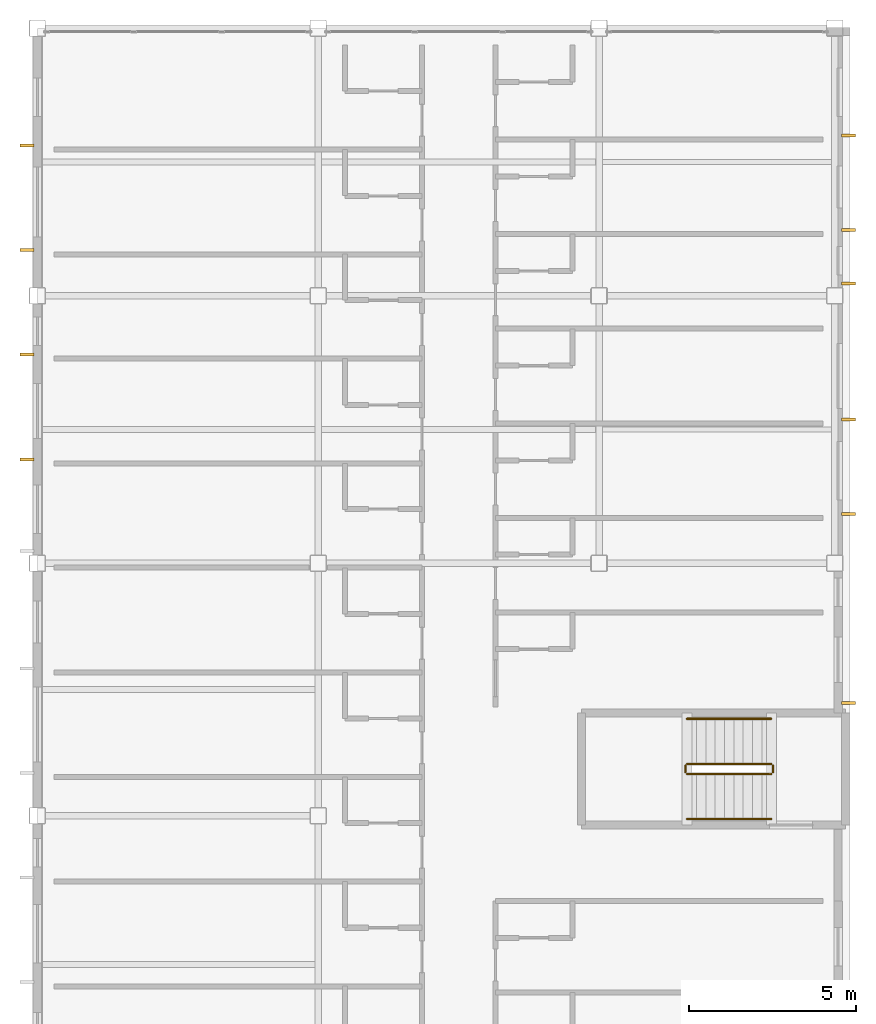
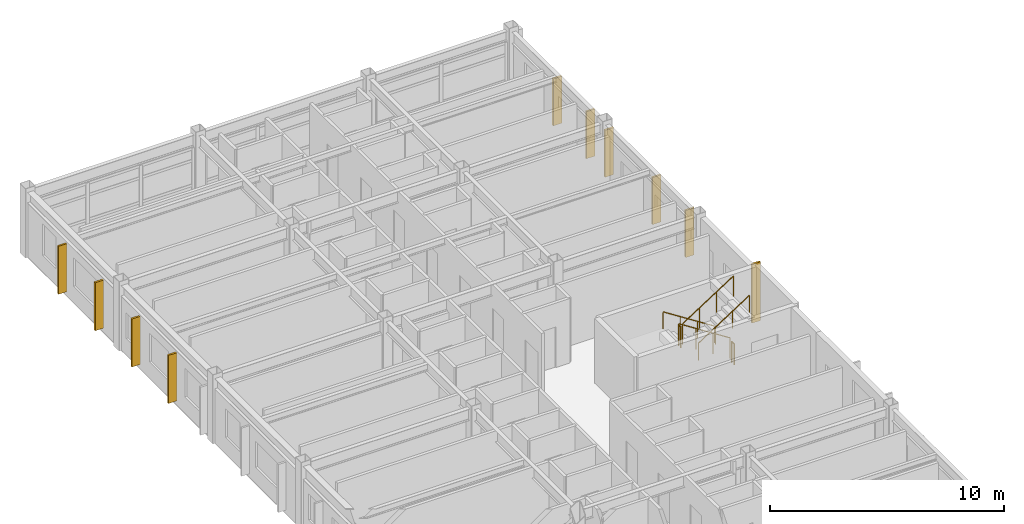
# One storey, part 35 of 35: 10 coverings, 6 railings.
"""IFC4 building model written with IfcOpenShell, lengths in metres."""

from ifc_helpers import new_model, si_unit, direction, frame, origin, origin_2d, place, context, subcontext, project, spatial, rectangle, circle, extrude, material, layer, layer_set, type_object, element, save


model = new_model("IFC4")

# Units and contexts
model_context = context("Model", 3, precision=1e-05, world=origin(), true_north=direction((0.0, 1.0)))
body_context = subcontext(model_context, "Body", "Model", "MODEL_VIEW")
ifc_project = project(units=[si_unit("LENGTHUNIT", "METRE"), si_unit("AREAUNIT", "SQUARE_METRE"), si_unit("VOLUMEUNIT", "CUBIC_METRE"), si_unit("PLANEANGLEUNIT", "RADIAN"), si_unit("MASSUNIT", "GRAM", prefix="KILO")], contexts=[model_context])

# Site, building, storey
site_placement = place(None, origin())
site = spatial("IfcSite", under=ifc_project, at=site_placement, CompositionType="ELEMENT")
building_placement = place(site_placement, origin())
building = spatial("IfcBuilding", under=site, at=building_placement, Name="Kazehara Bluff Congress Hotel", CompositionType="ELEMENT")
storey_placement = place(building_placement, frame((0.0, 0.0, 35.39990234375)))
storey = spatial("IfcBuildingStorey", under=building, at=storey_placement, Name="L08", CompositionType="ELEMENT", Elevation=35.39990234375)

# Coverings
ifc_material_1 = material(Name="Anodised aluminium architectural brise-soleil", Category="aluminium")
ifc_layer = layer(ifc_material_1, 0.090087890625)
ifc_layer_set = layer_set([ifc_layer], Name="Anodised aluminium architectural brise-soleil")
covering_type = type_object("IfcCoveringType", Name="TP-FFN-02", PredefinedType="CLADDING", material=ifc_layer_set)
covering_placement = place(storey_placement, frame((167.9599609375, 76.719970703125, 0.20263671875), z_axis=(0.0, 0.0, 1.0), x_axis=(1.0, 0.0, 0.0)))
element("IfcCovering", 1, at=covering_placement, inside=storey, type_object=covering_type, Name="L08 architectural vertical fin 66", PredefinedType="CLADDING", context=body_context, shape_type="SweptSolid", body=[
    extrude(rectangle(XDim=0.419921875, YDim=0.090087890625, at=origin_2d()), origin(), (0.0, 0.0, 1.0), 3.06494140625),
])
for number, where, z_axis, x_axis, name in (
    (2, (167.9599609375, 82.375, 0.20263671875), (0.0, 0.0, 1.0), (1.0, 0.0, 0.0), "L08 architectural vertical fin 67"),
    (3, (167.9599609375, 85.205078125, 0.20263671875), (0.0, 0.0, 1.0), (1.0, 0.0, 0.0), "L08 architectural vertical fin 68"),
    (4, (167.9599609375, 89.27001953125, 0.20263671875), (0.0, 0.0, 1.0), (1.0, 0.0, 0.0), "L08 architectural vertical fin 69"),
    (5, (167.9599609375, 90.864990234375, 0.20263671875), (0.0, 0.0, 1.0), (1.0, 0.0, 0.0), "L08 architectural vertical fin 70"),
    (6, (167.9599609375, 93.68994140625, 0.20263671875), (0.0, 0.0, 1.0), (1.0, 0.0, 0.0), "L08 architectural vertical fin 71"),
):
    element("IfcCovering", number, at=place(storey_placement, frame(where, z_axis=z_axis, x_axis=x_axis)), inside=storey, type_object=covering_type, Name=name, PredefinedType="CLADDING", context=body_context, shape_type="SweptSolid", body=[
        extrude(rectangle(XDim=0.419921875, YDim=0.090087890625, at=origin_2d()), origin(), (0.0, 0.0, 1.0), 2.455078125),
    ])
for number, where, z_axis, x_axis, name in (
    (7, (143.389892578125, 84.010009765625, 0.20263671875), (0.0, 0.0, 1.0), (1.0, 0.0, 0.0), "L08 architectural vertical fin 87"),
    (8, (143.389892578125, 87.139892578125, 0.20263671875), (0.0, 0.0, 1.0), (1.0, 0.0, 0.0), "L08 architectural vertical fin 88"),
    (9, (143.389892578125, 90.264892578125, 0.20263671875), (0.0, 0.0, 1.0), (1.0, 0.0, 0.0), "L08 architectural vertical fin 89"),
    (10, (143.389892578125, 93.39501953125, 0.20263671875), (0.0, 0.0, 1.0), (1.0, 0.0, 0.0), "L08 architectural vertical fin 90"),
):
    element("IfcCovering", number, at=place(storey_placement, frame(where, z_axis=z_axis, x_axis=x_axis)), inside=storey, type_object=covering_type, Name=name, PredefinedType="CLADDING", context=body_context, shape_type="SweptSolid", body=[
        extrude(rectangle(XDim=0.419921875, YDim=0.090087890625, at=origin_2d()), origin(), (0.0, 0.0, 1.0), 2.5048828125),
    ])

# Railings
ifc_material_2 = material(Name="Brushed stainless steel", Category="steel")
railing_type_1 = type_object("IfcRailingType", Name="TP-GRD-INT", PredefinedType="GUARDRAIL", material=ifc_material_2)
railing_1_placement = place(storey_placement, frame((165.64990234375, 74.89990234375, 0.18017578125)))
element("IfcRailing", 11, at=railing_1_placement, inside=storey, type_object=railing_type_1, Name="L08 ST-12 stair guard 1", PredefinedType="GUARDRAIL", context=body_context, shape_type="SweptSolid", body=[
    extrude(circle(Radius=0.02392578125, at=origin_2d()), frame((0.0, 0.0, 1.076171875), z_axis=(-0.841199657755, 0.0, 0.540724639528), x_axis=(0.0, -1.0, 0.0)), (0.0, 0.0, 1.0), 2.995849609375),
    extrude(circle(Radius=0.02099609375, at=origin_2d()), origin(), (0.0, 0.0, 1.0), 1.052001953125),
    extrude(circle(Radius=0.02099609375, at=origin_2d()), frame((-0.840087890625, 0.0, 0.5400390625)), (0.0, 0.0, 1.0), 1.052001953125),
    extrude(circle(Radius=0.02099609375, at=origin_2d()), frame((-1.679931640625, 0.0, 1.079833984375)), (0.0, 0.0, 1.0), 1.052001953125),
    extrude(circle(Radius=0.02099609375, at=origin_2d()), frame((-2.52001953125, 0.0, 1.619873046875)), (0.0, 0.0, 1.0), 1.052001953125),
])
railing_2_placement = place(storey_placement, frame((163.080078125, 74.85009765625, 1.800048828125)))
element("IfcRailing", 12, at=railing_2_placement, inside=storey, type_object=railing_type_1, Name="L08 ST-12 stair guard 2", PredefinedType="GUARDRAIL", context=body_context, shape_type="SweptSolid", body=[
    extrude(circle(Radius=0.02392578125, at=origin_2d()), frame((0.0, 0.0, 1.076171875), z_axis=(0.0, -1.0, 0.0), x_axis=(1.0, 0.0, 0.0)), (0.0, 0.0, 1.0), 0.2001953125),
    extrude(circle(Radius=0.02099609375, at=origin_2d()), origin(), (0.0, 0.0, 1.0), 1.052001953125),
    extrude(circle(Radius=0.02099609375, at=origin_2d()), frame((0.0, -0.2001953125, 0.0)), (0.0, 0.0, 1.0), 1.052001953125),
])
railing_3_placement = place(storey_placement, frame((163.1298828125, 74.60009765625, 1.97998046875)))
element("IfcRailing", 13, at=railing_3_placement, inside=storey, type_object=railing_type_1, Name="L08 ST-12 stair guard 3", PredefinedType="GUARDRAIL", context=body_context, shape_type="SweptSolid", body=[
    extrude(circle(Radius=0.02392578125, at=origin_2d()), frame((0.0, 0.0, 1.076171875), z_axis=(0.841162588446, 0.0, 0.540782303519), x_axis=(0.0, 1.0, 0.0)), (0.0, 0.0, 1.0), 2.995849609375),
    extrude(circle(Radius=0.02099609375, at=origin_2d()), origin(), (0.0, 0.0, 1.0), 1.052001953125),
    extrude(circle(Radius=0.02099609375, at=origin_2d()), frame((0.840087890625, 0.0, 0.5400390625)), (0.0, 0.0, 1.0), 1.052001953125),
    extrude(circle(Radius=0.02099609375, at=origin_2d()), frame((1.679931640625, 0.0, 1.080078125)), (0.0, 0.0, 1.0), 1.052001953125),
    extrude(circle(Radius=0.02099609375, at=origin_2d()), frame((2.52001953125, 0.0, 1.6201171875)), (0.0, 0.0, 1.0), 1.052001953125),
])
railing_4_placement = place(storey_placement, frame((165.699951171875, 74.85009765625, 0.0)))
element("IfcRailing", 14, at=railing_4_placement, inside=storey, type_object=railing_type_1, Name="L08 ST-12 stair guard 4", PredefinedType="GUARDRAIL", context=body_context, shape_type="SweptSolid", body=[
    extrude(circle(Radius=0.02392578125, at=origin_2d()), frame((0.0, 0.0, 1.076171875), z_axis=(0.0, -1.0, 0.0), x_axis=(1.0, 0.0, 0.0)), (0.0, 0.0, 1.0), 0.2001953125),
    extrude(circle(Radius=0.02099609375, at=origin_2d()), origin(), (0.0, 0.0, 1.0), 1.052001953125),
    extrude(circle(Radius=0.02099609375, at=origin_2d()), frame((0.0, -0.2001953125, 0.0)), (0.0, 0.0, 1.0), 1.052001953125),
])
ifc_material_3 = material(Name="Brushed stainless steel", Category="steel")
railing_type_2 = type_object("IfcRailingType", Name="TP-HR-INT", PredefinedType="HANDRAIL", material=ifc_material_3)
railing_5_placement = place(storey_placement, frame((165.64990234375, 76.25, 0.18017578125)))
element("IfcRailing", 15, at=railing_5_placement, inside=storey, type_object=railing_type_2, Name="L08 ST-12 stair handrail 1", PredefinedType="HANDRAIL", context=body_context, shape_type="SweptSolid", body=[
    extrude(circle(Radius=0.02392578125, at=origin_2d()), frame((0.0, 0.0, 0.8759765625), z_axis=(-0.841199657755, 0.0, 0.540724639528), x_axis=(0.0, -1.0, 0.0)), (0.0, 0.0, 1.0), 2.995849609375),
    extrude(circle(Radius=0.02099609375, at=origin_2d()), origin(), (0.0, 0.0, 1.0), 0.851806640625),
    extrude(circle(Radius=0.02099609375, at=origin_2d()), frame((-0.840087890625, 0.0, 0.5400390625)), (0.0, 0.0, 1.0), 0.851806640625),
    extrude(circle(Radius=0.02099609375, at=origin_2d()), frame((-1.679931640625, 0.0, 1.079833984375)), (0.0, 0.0, 1.0), 0.851806640625),
    extrude(circle(Radius=0.02099609375, at=origin_2d()), frame((-2.52001953125, 0.0, 1.619873046875)), (0.0, 0.0, 1.0), 0.851806640625),
])
railing_6_placement = place(storey_placement, frame((163.1298828125, 73.25, 1.97998046875)))
element("IfcRailing", 16, at=railing_6_placement, inside=storey, type_object=railing_type_2, Name="L08 ST-12 stair handrail 2", PredefinedType="HANDRAIL", context=body_context, shape_type="SweptSolid", body=[
    extrude(circle(Radius=0.02392578125, at=origin_2d()), frame((0.0, 0.0, 0.8759765625), z_axis=(0.841162588446, 0.0, 0.540782303519), x_axis=(0.0, 1.0, 0.0)), (0.0, 0.0, 1.0), 2.995849609375),
    extrude(circle(Radius=0.02099609375, at=origin_2d()), origin(), (0.0, 0.0, 1.0), 0.851806640625),
    extrude(circle(Radius=0.02099609375, at=origin_2d()), frame((0.840087890625, 0.0, 0.5400390625)), (0.0, 0.0, 1.0), 0.851806640625),
    extrude(circle(Radius=0.02099609375, at=origin_2d()), frame((1.679931640625, 0.0, 1.080078125)), (0.0, 0.0, 1.0), 0.851806640625),
    extrude(circle(Radius=0.02099609375, at=origin_2d()), frame((2.52001953125, 0.0, 1.6201171875)), (0.0, 0.0, 1.0), 0.851806640625),
])

save(model, "model.ifc")
